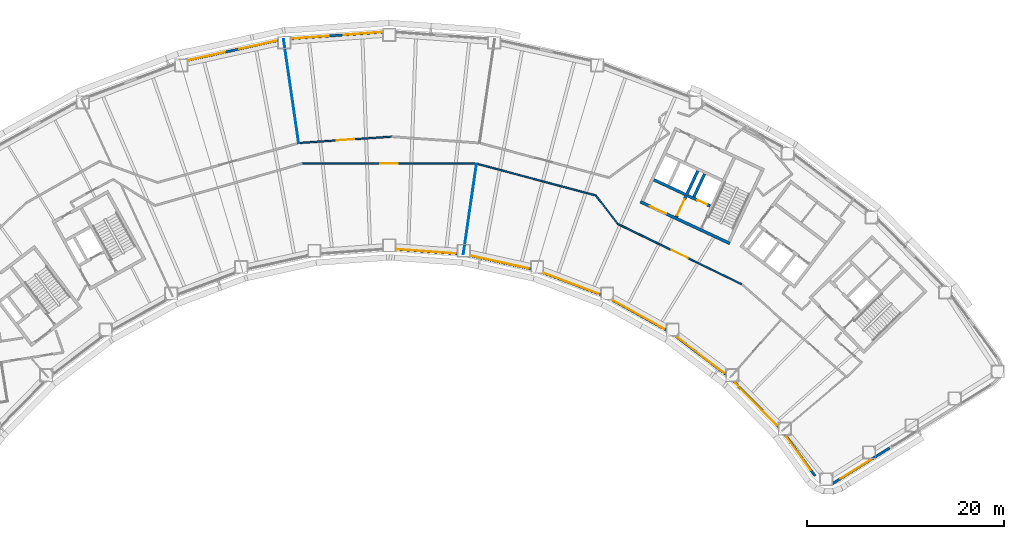
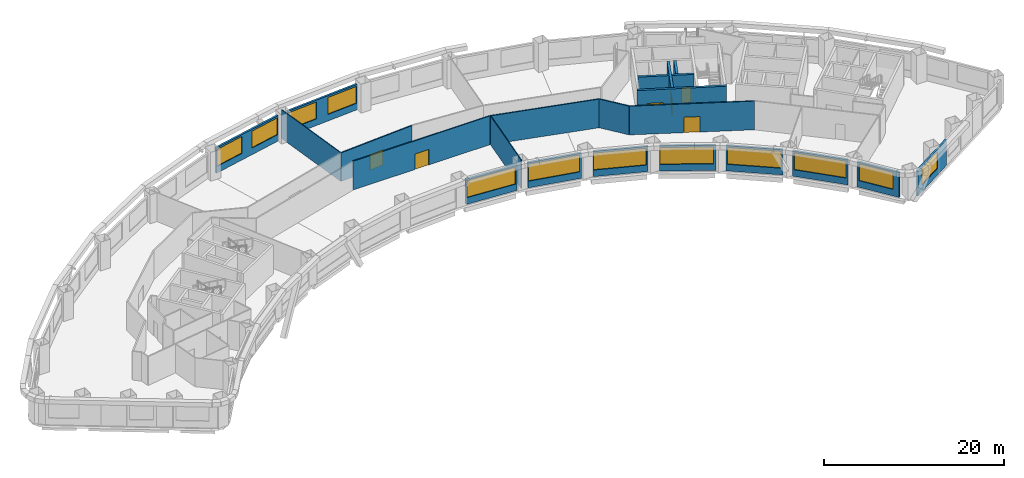
# One storey, part 5 of 14: 22 walls, 12 windows, 6 doors, 18 openings.
"""IFC4 building model written with IfcOpenShell, lengths in metres."""

from ifc_helpers import new_model, si_unit, direction, frame, frame_2d, origin, place, context, subcontext, project, spatial, rectangle, extrude, material, layer, layer_set, type_object, element, fill, save


model = new_model("IFC4")

# Units and contexts
model_context = context("Model", 3, precision=1e-05, world=origin(), true_north=direction((0.0, 1.0)))
body_context = subcontext(model_context, "Body", "Model", "MODEL_VIEW")
ifc_project = project(units=[si_unit("LENGTHUNIT", "METRE"), si_unit("AREAUNIT", "SQUARE_METRE"), si_unit("VOLUMEUNIT", "CUBIC_METRE"), si_unit("PLANEANGLEUNIT", "RADIAN"), si_unit("MASSUNIT", "GRAM", prefix="KILO")], contexts=[model_context])

# Site, building, storey
site_placement = place(None, origin())
site = spatial("IfcSite", under=ifc_project, at=site_placement, CompositionType="ELEMENT")
building_placement = place(site_placement, origin())
building = spatial("IfcBuilding", under=site, at=building_placement, Name="Tuul Gate Civic Tower", CompositionType="ELEMENT")
storey_placement = place(building_placement, frame((0.0, 0.0, 44.10009765625)))
storey = spatial("IfcBuildingStorey", under=building, at=storey_placement, Name="Level 09", CompositionType="ELEMENT", Elevation=44.10009765625)

# Wall, opening, door
ifc_material_1 = material(Name="Concrete C50/60", Category="concrete")
ifc_layer_1 = layer(ifc_material_1, 0.300048828125)
ifc_layer_set_1 = layer_set([ifc_layer_1], Name="Concrete C50/60")
wall_type_1 = type_object("IfcWallType", Name="Core wall C50/60", PredefinedType="SHEAR", material=ifc_layer_set_1)
wall_1_placement = place(storey_placement, frame((34.5283203125, -7.25, 0.0), z_axis=(0.0, 0.0, 1.0), x_axis=(-0.906310338845, 0.422612789327, 0.0)))
wall_1 = element("IfcWall", 1, at=wall_1_placement, inside=storey, type_object=wall_type_1, Name="Core wall", PredefinedType="SHEAR", context=body_context, shape_type="SweptSolid", body=[
    extrude(rectangle(XDim=9.999755859375, YDim=0.300048828125, at=frame_2d((5.0, 0.0))), origin(), (0.0, 0.0, 1.0), 3.89990234375),
])
opening_1_placement = place(wall_1_placement, frame((7.125, 0.0, 0.0)))
opening_1 = element("IfcOpeningElement", 2, at=opening_1_placement, cuts=wall_1, Name="Opening LB-E3-LOBBY-1", PredefinedType="OPENING", context=body_context, shape_type="SweptSolid", body=[
    extrude(rectangle(XDim=1.800048828125, YDim=2.10009765625, at=frame_2d((0.89990234375, 1.050048828125))), frame((0.0, 0.16015625, 0.0), z_axis=(0.0, -1.0, 0.0), x_axis=(1.0, 0.0, 0.0)), (0.0, 0.0, 1.0), 0.320068359375),
])
ifc_material_2 = material(Name="Steel", Category="steel")
door_type_1 = type_object("IfcDoorType", Name="Lobby door", OperationType="DOUBLE_DOOR_SINGLE_SWING", PredefinedType="DOOR", material=ifc_material_2)
door_1_placement = place(opening_1_placement, frame((1.800048828125, 0.0, 0.0), z_axis=(0.0, 0.0, 1.0), x_axis=(-1.0, 0.0, 0.0)))
door_1 = element("IfcDoor", 3, at=door_1_placement, inside=storey, type_object=door_type_1, Name="Lobby door E3-LOBBY", OperationType="DOUBLE_DOOR_SINGLE_SWING", OverallHeight=2.10009765625, OverallWidth=1.800048828125, PredefinedType="DOOR", context=body_context, shape_type="SweptSolid", body=[
    extrude(rectangle(XDim=1.800048828125, YDim=2.10009765625, at=frame_2d((0.900146484375, 1.050048828125))), frame((0.0, 0.02490234375, 0.0), z_axis=(0.0, -1.0, 0.0), x_axis=(1.0, 0.0, 0.0)), (0.0, 0.0, 1.0), 0.050048828125),
])
fill(opening_1, door_1)

wall_2_placement = place(storey_placement, frame((32.545654296875, -3.456787109375, 0.0), z_axis=(0.0, 0.0, 1.0), x_axis=(-0.906300357825, 0.42263419337, 0.0)))
wall_2 = element("IfcWall", 4, at=wall_2_placement, inside=storey, type_object=wall_type_1, Name="Core wall", PredefinedType="SHEAR", context=body_context, shape_type="SweptSolid", body=[
    extrude(rectangle(XDim=2.500244140625, YDim=0.300048828125, at=frame_2d((1.25, 0.0))), origin(), (0.0, 0.0, 1.0), 3.89990234375),
])
opening_2_placement = place(wall_2_placement, frame((0.324951171875, 0.0, 0.0)))
opening_2 = element("IfcOpeningElement", 5, at=opening_2_placement, cuts=wall_2, Name="Opening LD-FF-2", PredefinedType="OPENING", context=body_context, shape_type="SweptSolid", body=[
    extrude(rectangle(XDim=1.10009765625, YDim=2.10009765625, at=frame_2d((0.550048828125, 1.050048828125))), frame((0.0, 0.16015625, 0.0), z_axis=(0.0, -1.0, 0.0), x_axis=(1.0, 0.0, 0.0)), (0.0, 0.0, 1.0), 0.320068359375),
])
ifc_material_3 = material(Name="Stainless steel", Category="steel")
door_type_2 = type_object("IfcDoorType", Name="Landing door", OperationType="DOUBLE_DOOR_SLIDING", PredefinedType="DOOR", material=ifc_material_3)
door_2_placement = place(opening_2_placement, origin())
door_2 = element("IfcDoor", 6, at=door_2_placement, inside=storey, type_object=door_type_2, Name="Fire-fighting lift FF-2 landing door", OperationType="DOUBLE_DOOR_SLIDING", OverallHeight=2.10009765625, OverallWidth=1.10009765625, PredefinedType="DOOR", context=body_context, shape_type="SweptSolid", body=[
    extrude(rectangle(XDim=1.10009765625, YDim=2.10009765625, at=frame_2d((0.550048828125, 1.050048828125))), frame((0.0, 0.02490234375, 0.0), z_axis=(0.0, -1.0, 0.0), x_axis=(1.0, 0.0, 0.0)), (0.0, 0.0, 1.0), 0.050048828125),
])
fill(opening_2, door_2)

# Walls
wall_3_placement = place(storey_placement, frame((30.0078125, -2.2734375, 0.0), z_axis=(0.0, 0.0, 1.0), x_axis=(-0.90630071767, 0.422633421716, 0.0)))
element("IfcWall", 7, at=wall_3_placement, inside=storey, type_object=wall_type_1, Name="Core wall", PredefinedType="SHEAR", context=body_context, shape_type="SweptSolid", body=[
    extrude(rectangle(XDim=3.5, YDim=0.300048828125, at=frame_2d((1.75, 0.0))), origin(), (0.0, 0.0, 1.0), 3.89990234375),
])
wall_4_placement = place(storey_placement, frame((30.886962890625, -2.517822265625, 0.0), z_axis=(0.0, 0.0, 1.0), x_axis=(0.422612891016, 0.906310291427, 0.0)))
element("IfcWall", 8, at=wall_4_placement, inside=storey, type_object=wall_type_1, Name="Core wall", PredefinedType="SHEAR", context=body_context, shape_type="SweptSolid", body=[
    extrude(rectangle(XDim=2.550048828125, YDim=0.300048828125, at=frame_2d((1.27490234375, 0.0))), origin(), (0.0, 0.0, 1.0), 3.89990234375),
])

# Wall, opening, door
wall_5_placement = place(storey_placement, frame((29.108642578125, -4.557373046875, 0.0), z_axis=(0.0, 0.0, 1.0), x_axis=(0.422566235356, 0.90633204552, 0.0)))
wall_5 = element("IfcWall", 9, at=wall_5_placement, inside=storey, type_object=wall_type_1, Name="Core wall", PredefinedType="SHEAR", context=body_context, shape_type="SweptSolid", body=[
    extrude(rectangle(XDim=5.150146484375, YDim=0.300048828125, at=frame_2d((2.5751953125, 0.0))), origin(), (0.0, 0.0, 1.0), 3.89990234375),
])
opening_3_placement = place(wall_5_placement, frame((0.175048828125, 0.0, 0.0)))
opening_3 = element("IfcOpeningElement", 10, at=opening_3_placement, cuts=wall_5, Name="Opening LB-E3-FLOBBY-1", PredefinedType="OPENING", context=body_context, shape_type="SweptSolid", body=[
    extrude(rectangle(XDim=1.800048828125, YDim=2.10009765625, at=frame_2d((0.89990234375, 1.050048828125))), frame((0.0, 0.16015625, 0.0), z_axis=(0.0, -1.0, 0.0), x_axis=(1.0, 0.0, 0.0)), (0.0, 0.0, 1.0), 0.320068359375),
])
door_3_placement = place(opening_3_placement, frame((1.800048828125, 0.0, 0.0), z_axis=(0.0, 0.0, 1.0), x_axis=(-1.0, 0.0, 0.0)))
door_3 = element("IfcDoor", 11, at=door_3_placement, inside=storey, type_object=door_type_1, Name="Lobby door E3-FLOBBY", OperationType="DOUBLE_DOOR_SINGLE_SWING", OverallHeight=2.10009765625, OverallWidth=1.800048828125, PredefinedType="DOOR", context=body_context, shape_type="SweptSolid", body=[
    extrude(rectangle(XDim=1.800048828125, YDim=2.10009765625, at=frame_2d((0.900146484375, 1.050048828125))), frame((0.0, 0.02490234375, 0.0), z_axis=(0.0, -1.0, 0.0), x_axis=(1.0, 0.0, 0.0)), (0.0, 0.0, 1.0), 0.050048828125),
])
fill(opening_3, door_3)

ifc_material_4 = material(Name="Gypsum board partition")
ifc_layer_2 = layer(ifc_material_4, 0.14990234375)
ifc_layer_set_2 = layer_set([ifc_layer_2], Name="Gypsum board partition")
wall_type_2 = type_object("IfcWallType", Name="Corridor wall P150", PredefinedType="PARTITIONING", material=ifc_layer_set_2)
wall_6_placement = place(storey_placement, frame((-9.11767578125, 2.936279296875, 0.0), z_axis=(0.0, 0.0, 1.0), x_axis=(0.997685012636, 0.068004526039, 0.0)))
wall_6 = element("IfcWall", 12, at=wall_6_placement, inside=storey, type_object=wall_type_2, Name="p027", PredefinedType="PARTITIONING", context=body_context, shape_type="SweptSolid", body=[
    extrude(rectangle(XDim=9.4130859375, YDim=0.14990234375, at=frame_2d((4.70654296875, 0.0))), origin(), (0.0, 0.0, 1.0), 3.89990234375),
])
opening_4_placement = place(wall_6_placement, frame((3.806640625, 0.0, 0.0)))
opening_4 = element("IfcOpeningElement", 13, at=opening_4_placement, cuts=wall_6, Name="Opening B-D04", PredefinedType="OPENING", context=body_context, shape_type="SweptSolid", body=[
    extrude(rectangle(XDim=1.800048828125, YDim=2.10009765625, at=frame_2d((0.89990234375, 1.050048828125))), frame((0.0, 0.0849609375, 0.0), z_axis=(0.0, -1.0, 0.0), x_axis=(1.0, 0.0, 0.0)), (0.0, 0.0, 1.0), 0.169921875),
])
ifc_material_5 = material(Name="Timber door leaf, double", Category="wood")
door_type_3 = type_object("IfcDoorType", Name="Door D18", OperationType="DOUBLE_DOOR_SINGLE_SWING", PredefinedType="DOOR", material=ifc_material_5)
door_4_placement = place(opening_4_placement, origin())
door_4 = element("IfcDoor", 14, at=door_4_placement, inside=storey, type_object=door_type_3, Name="Door B-D04", OperationType="DOUBLE_DOOR_SINGLE_SWING", OverallHeight=2.10009765625, OverallWidth=1.800048828125, PredefinedType="DOOR", context=body_context, shape_type="SweptSolid", body=[
    extrude(rectangle(XDim=1.800048828125, YDim=2.10009765625, at=frame_2d((0.89990234375, 1.050048828125))), frame((0.0, 0.02490234375, 0.0), z_axis=(0.0, -1.0, 0.0), x_axis=(1.0, 0.0, 0.0)), (0.0, 0.0, 1.0), 0.050048828125),
])
fill(opening_4, door_4)

# Walls
wall_7_placement = place(storey_placement, frame((8.7958984375, 0.853271484375, 0.0), z_axis=(0.0, 0.0, 1.0), x_axis=(0.966243312112, -0.257631251596, 0.0)))
element("IfcWall", 15, at=wall_7_placement, inside=storey, type_object=wall_type_2, Name="p042", PredefinedType="PARTITIONING", context=body_context, shape_type="SweptSolid", body=[
    extrude(rectangle(XDim=12.582763671875, YDim=0.14990234375, at=frame_2d((6.29150390625, 0.0))), origin(), (0.0, 0.0, 1.0), 3.89990234375),
])
wall_8_placement = place(storey_placement, frame((20.96533203125, -2.39599609375, 0.0), z_axis=(0.0, 0.0, 1.0), x_axis=(0.608342437312, -0.793674668214, 0.0)))
element("IfcWall", 16, at=wall_8_placement, inside=storey, type_object=wall_type_2, Name="p043", PredefinedType="PARTITIONING", context=body_context, shape_type="SweptSolid", body=[
    extrude(rectangle(XDim=3.6240234375, YDim=0.14990234375, at=frame_2d((1.81201171875, 0.0))), origin(), (0.0, 0.0, 1.0), 3.89990234375),
])

# Wall, opening, door
wall_9_placement = place(storey_placement, frame((23.1708984375, -5.273193359375, 0.0), z_axis=(0.0, 0.0, 1.0), x_axis=(0.89942879208, -0.437067326596, 0.0)))
wall_9 = element("IfcWall", 17, at=wall_9_placement, inside=storey, type_object=wall_type_2, Name="p044", PredefinedType="PARTITIONING", context=body_context, shape_type="SweptSolid", body=[
    extrude(rectangle(XDim=13.956787109375, YDim=0.14990234375, at=frame_2d((6.978515625, 0.0))), origin(), (0.0, 0.0, 1.0), 3.89990234375),
])
opening_5_placement = place(wall_9_placement, frame((6.07861328125, 0.0, 0.0)))
opening_5 = element("IfcOpeningElement", 18, at=opening_5_placement, cuts=wall_9, Name="Opening B-D08", PredefinedType="OPENING", context=body_context, shape_type="SweptSolid", body=[
    extrude(rectangle(XDim=1.800048828125, YDim=2.10009765625, at=frame_2d((0.89990234375, 1.050048828125))), frame((0.0, 0.0849609375, 0.0), z_axis=(0.0, -1.0, 0.0), x_axis=(1.0, 0.0, 0.0)), (0.0, 0.0, 1.0), 0.169921875),
])
door_5_placement = place(opening_5_placement, frame((1.800048828125, 0.0, 0.0), z_axis=(0.0, 0.0, 1.0), x_axis=(-1.0, 0.0, 0.0)))
door_5 = element("IfcDoor", 19, at=door_5_placement, inside=storey, type_object=door_type_3, Name="Door B-D08", OperationType="DOUBLE_DOOR_SINGLE_SWING", OverallHeight=2.10009765625, OverallWidth=1.800048828125, PredefinedType="DOOR", context=body_context, shape_type="SweptSolid", body=[
    extrude(rectangle(XDim=1.800048828125, YDim=2.10009765625, at=frame_2d((0.900146484375, 1.050048828125))), frame((0.0, 0.02490234375, 0.0), z_axis=(0.0, -1.0, 0.0), x_axis=(1.0, 0.0, 0.0)), (0.0, 0.0, 1.0), 0.050048828125),
])
fill(opening_5, door_5)

wall_10_placement = place(storey_placement, frame((-8.813720703125, 0.85205078125, 0.0), z_axis=(0.0, 0.0, 1.0), x_axis=(0.999999993845, 0.000110950848, 0.0)))
wall_10 = element("IfcWall", 20, at=wall_10_placement, inside=storey, type_object=wall_type_2, Name="p047", PredefinedType="PARTITIONING", context=body_context, shape_type="SweptSolid", body=[
    extrude(rectangle(XDim=17.603515625, YDim=0.14990234375, at=frame_2d((8.8017578125, 0.0))), origin(), (0.0, 0.0, 1.0), 3.89990234375),
])
opening_6_placement = place(wall_10_placement, frame((7.90185546875, 0.0, 0.0)))
opening_6 = element("IfcOpeningElement", 21, at=opening_6_placement, cuts=wall_10, Name="Opening B-D09", PredefinedType="OPENING", context=body_context, shape_type="SweptSolid", body=[
    extrude(rectangle(XDim=1.800048828125, YDim=2.10009765625, at=frame_2d((0.89990234375, 1.050048828125))), frame((0.0, 0.0849609375, 0.0), z_axis=(0.0, -1.0, 0.0), x_axis=(1.0, 0.0, 0.0)), (0.0, 0.0, 1.0), 0.169921875),
])
door_6_placement = place(opening_6_placement, frame((1.800048828125, 0.0, 0.0), z_axis=(0.0, 0.0, 1.0), x_axis=(-1.0, 0.0, 0.0)))
door_6 = element("IfcDoor", 22, at=door_6_placement, inside=storey, type_object=door_type_3, Name="Door B-D09", OperationType="DOUBLE_DOOR_SINGLE_SWING", OverallHeight=2.10009765625, OverallWidth=1.800048828125, PredefinedType="DOOR", context=body_context, shape_type="SweptSolid", body=[
    extrude(rectangle(XDim=1.800048828125, YDim=2.10009765625, at=frame_2d((0.900146484375, 1.050048828125))), frame((0.0, 0.02490234375, 0.0), z_axis=(0.0, -1.0, 0.0), x_axis=(1.0, 0.0, 0.0)), (0.0, 0.0, 1.0), 0.050048828125),
])
fill(opening_6, door_6)

# Wall, openings, windows
ifc_material_6 = material(Name="Precast concrete C40/50", Category="concrete")
ifc_layer_3 = layer(ifc_material_6, 0.25)
ifc_layer_set_3 = layer_set([ifc_layer_3], Name="Precast concrete C40/50")
wall_type_3 = type_object("IfcWallType", Name="External wall", PredefinedType="STANDARD", material=ifc_layer_set_3)
wall_11_placement = place(storey_placement, frame((-0.64990234375, 14.177490234375, 0.0), z_axis=(0.0, 0.0, 1.0), x_axis=(-0.997388413682, -0.072224318983, 0.0)))
wall_11 = element("IfcWall", 23, at=wall_11_placement, inside=storey, type_object=wall_type_3, Name="External wall", PredefinedType="STANDARD", context=body_context, shape_type="SweptSolid", body=[
    extrude(rectangle(XDim=9.37353515625, YDim=0.25, at=frame_2d((4.686767578125, 0.0))), origin(), (0.0, 0.0, 1.0), 3.449951171875),
])
opening_7_placement = place(wall_11_placement, frame((0.099853515625, 0.0, 0.89990234375)))
opening_7 = element("IfcOpeningElement", 24, at=opening_7_placement, cuts=wall_11, Name="Opening W22", PredefinedType="OPENING", context=body_context, shape_type="SweptSolid", body=[
    extrude(rectangle(XDim=3.85009765625, YDim=2.300048828125, at=frame_2d((1.925048828125, 1.14990234375))), frame((0.0, 0.135009765625, 0.0), z_axis=(0.0, -1.0, 0.0), x_axis=(1.0, 0.0, 0.0)), (0.0, 0.0, 1.0), 0.27001953125),
])
opening_8_placement = place(wall_11_placement, frame((5.470703125, 0.0, 0.89990234375)))
opening_8 = element("IfcOpeningElement", 25, at=opening_8_placement, cuts=wall_11, Name="Opening W22", PredefinedType="OPENING", context=body_context, shape_type="SweptSolid", body=[
    extrude(rectangle(XDim=3.85009765625, YDim=2.300048828125, at=frame_2d((1.925048828125, 1.14990234375))), frame((0.0, 0.135009765625, 0.0), z_axis=(0.0, -1.0, 0.0), x_axis=(1.0, 0.0, 0.0)), (0.0, 0.0, 1.0), 0.27001953125),
])
ifc_material_7 = material(Name="Glass", Category="glass")
window_type_1 = type_object("IfcWindowType", Name="Window W22 3850 x 2300", PartitioningType="SINGLE_PANEL", PredefinedType="WINDOW", material=ifc_material_7)
window_1_placement = place(opening_7_placement, origin())
window_1 = element("IfcWindow", 26, at=window_1_placement, inside=storey, type_object=window_type_1, Name="Window", OverallHeight=2.300048828125, OverallWidth=3.85009765625, PartitioningType="SINGLE_PANEL", PredefinedType="WINDOW", context=body_context, shape_type="SweptSolid", body=[
    extrude(rectangle(XDim=3.85009765625, YDim=2.300048828125, at=frame_2d((1.925048828125, 1.14990234375))), frame((0.0, 0.030029296875, 0.0), z_axis=(0.0, -1.0, 0.0), x_axis=(1.0, 0.0, 0.0)), (0.0, 0.0, 1.0), 0.06005859375),
])
fill(opening_7, window_1)
window_2_placement = place(opening_8_placement, origin())
window_2 = element("IfcWindow", 27, at=window_2_placement, inside=storey, type_object=window_type_1, Name="Window", OverallHeight=2.300048828125, OverallWidth=3.85009765625, PartitioningType="SINGLE_PANEL", PredefinedType="WINDOW", context=body_context, shape_type="SweptSolid", body=[
    extrude(rectangle(XDim=3.85009765625, YDim=2.300048828125, at=frame_2d((1.925048828125, 1.14990234375))), frame((0.0, 0.030029296875, 0.0), z_axis=(0.0, -1.0, 0.0), x_axis=(1.0, 0.0, 0.0)), (0.0, 0.0, 1.0), 0.06005859375),
])
fill(opening_8, window_2)

wall_12_placement = place(storey_placement, frame((-11.299072265625, 13.317138671875, 0.0), z_axis=(0.0, 0.0, 1.0), x_axis=(-0.97654219172, -0.215326142841, 0.0)))
wall_12 = element("IfcWall", 28, at=wall_12_placement, inside=storey, type_object=wall_type_3, Name="External wall", PredefinedType="STANDARD", context=body_context, shape_type="SweptSolid", body=[
    extrude(rectangle(XDim=9.34716796875, YDim=0.25, at=frame_2d((4.673583984375, 0.0))), origin(), (0.0, 0.0, 1.0), 3.449951171875),
])
opening_9_placement = place(wall_12_placement, frame((0.134033203125, 0.0, 0.89990234375)))
opening_9 = element("IfcOpeningElement", 29, at=opening_9_placement, cuts=wall_12, Name="Opening W22", PredefinedType="OPENING", context=body_context, shape_type="SweptSolid", body=[
    extrude(rectangle(XDim=3.85009765625, YDim=2.300048828125, at=frame_2d((1.925048828125, 1.14990234375))), frame((0.0, 0.135009765625, 0.0), z_axis=(0.0, -1.0, 0.0), x_axis=(1.0, 0.0, 0.0)), (0.0, 0.0, 1.0), 0.27001953125),
])
opening_10_placement = place(wall_12_placement, frame((5.5029296875, 0.0, 0.89990234375)))
opening_10 = element("IfcOpeningElement", 30, at=opening_10_placement, cuts=wall_12, Name="Opening W100", PredefinedType="OPENING", context=body_context, shape_type="SweptSolid", body=[
    extrude(rectangle(XDim=3.800048828125, YDim=2.300048828125, at=frame_2d((1.89990234375, 1.14990234375))), frame((0.0, 0.135009765625, 0.0), z_axis=(0.0, -1.0, 0.0), x_axis=(1.0, 0.0, 0.0)), (0.0, 0.0, 1.0), 0.27001953125),
])
ifc_material_8 = material(Name="Glass", Category="glass")
window_type_2 = type_object("IfcWindowType", Name="Window W100 3800 x 2300", PartitioningType="SINGLE_PANEL", PredefinedType="WINDOW", material=ifc_material_8)
window_3_placement = place(opening_10_placement, origin())
window_3 = element("IfcWindow", 31, at=window_3_placement, inside=storey, type_object=window_type_2, Name="Window", OverallHeight=2.300048828125, OverallWidth=3.800048828125, PartitioningType="SINGLE_PANEL", PredefinedType="WINDOW", context=body_context, shape_type="SweptSolid", body=[
    extrude(rectangle(XDim=3.800048828125, YDim=2.300048828125, at=frame_2d((1.89990234375, 1.14990234375))), frame((0.0, 0.030029296875, 0.0), z_axis=(0.0, -1.0, 0.0), x_axis=(1.0, 0.0, 0.0)), (0.0, 0.0, 1.0), 0.06005859375),
])
fill(opening_10, window_3)
window_4_placement = place(opening_9_placement, origin())
window_4 = element("IfcWindow", 32, at=window_4_placement, inside=storey, type_object=window_type_1, Name="Window", OverallHeight=2.300048828125, OverallWidth=3.85009765625, PartitioningType="SINGLE_PANEL", PredefinedType="WINDOW", context=body_context, shape_type="SweptSolid", body=[
    extrude(rectangle(XDim=3.85009765625, YDim=2.300048828125, at=frame_2d((1.925048828125, 1.14990234375))), frame((0.0, 0.030029296875, 0.0), z_axis=(0.0, -1.0, 0.0), x_axis=(1.0, 0.0, 0.0)), (0.0, 0.0, 1.0), 0.06005859375),
])
fill(opening_9, window_4)

# Wall, opening, window
wall_13_placement = place(storey_placement, frame((0.64990234375, -7.830810546875, 0.0), z_axis=(0.0, 0.0, 1.0), x_axis=(0.997395047269, -0.072132653374, 0.0)))
wall_13 = element("IfcWall", 33, at=wall_13_placement, inside=storey, type_object=wall_type_3, Name="External wall", PredefinedType="STANDARD", context=body_context, shape_type="SweptSolid", body=[
    extrude(rectangle(XDim=6.28857421875, YDim=0.25, at=frame_2d((3.144287109375, 0.0))), origin(), (0.0, 0.0, 1.0), 3.449951171875),
])
opening_11_placement = place(wall_13_placement, frame((0.12060546875, 0.0, 0.89990234375)))
opening_11 = element("IfcOpeningElement", 34, at=opening_11_placement, cuts=wall_13, Name="Opening W26", PredefinedType="OPENING", context=body_context, shape_type="SweptSolid", body=[
    extrude(rectangle(XDim=6.0, YDim=2.300048828125, at=frame_2d((3.0, 1.14990234375))), frame((0.0, 0.135009765625, 0.0), z_axis=(0.0, -1.0, 0.0), x_axis=(1.0, 0.0, 0.0)), (0.0, 0.0, 1.0), 0.27001953125),
])
ifc_material_9 = material(Name="Glass", Category="glass")
window_type_3 = type_object("IfcWindowType", Name="Window W26 6000 x 2300", PartitioningType="SINGLE_PANEL", PredefinedType="WINDOW", material=ifc_material_9)
window_5_placement = place(opening_11_placement, origin())
window_5 = element("IfcWindow", 35, at=window_5_placement, inside=storey, type_object=window_type_3, Name="Window", OverallHeight=2.300048828125, OverallWidth=6.0, PartitioningType="SINGLE_PANEL", PredefinedType="WINDOW", context=body_context, shape_type="SweptSolid", body=[
    extrude(rectangle(XDim=6.0, YDim=2.300048828125, at=frame_2d((3.0, 1.14990234375))), frame((0.0, 0.030029296875, 0.0), z_axis=(0.0, -1.0, 0.0), x_axis=(1.0, 0.0, 0.0)), (0.0, 0.0, 1.0), 0.06005859375),
])
fill(opening_11, window_5)

wall_14_placement = place(storey_placement, frame((8.221923828125, -8.481689453125, 0.0), z_axis=(0.0, 0.0, 1.0), x_axis=(0.97656633669, -0.215216611915, 0.0)))
wall_14 = element("IfcWall", 36, at=wall_14_placement, inside=storey, type_object=wall_type_3, Name="External wall", PredefinedType="STANDARD", context=body_context, shape_type="SweptSolid", body=[
    extrude(rectangle(XDim=6.2607421875, YDim=0.25, at=frame_2d((3.13037109375, 0.0))), origin(), (0.0, 0.0, 1.0), 3.449951171875),
])
opening_12_placement = place(wall_14_placement, frame((0.05859375, 0.0, 0.89990234375)))
opening_12 = element("IfcOpeningElement", 37, at=opening_12_placement, cuts=wall_14, Name="Opening W26", PredefinedType="OPENING", context=body_context, shape_type="SweptSolid", body=[
    extrude(rectangle(XDim=6.0, YDim=2.300048828125, at=frame_2d((3.0, 1.14990234375))), frame((0.0, 0.135009765625, 0.0), z_axis=(0.0, -1.0, 0.0), x_axis=(1.0, 0.0, 0.0)), (0.0, 0.0, 1.0), 0.27001953125),
])
window_6_placement = place(opening_12_placement, origin())
window_6 = element("IfcWindow", 38, at=window_6_placement, inside=storey, type_object=window_type_3, Name="Window", OverallHeight=2.300048828125, OverallWidth=6.0, PartitioningType="SINGLE_PANEL", PredefinedType="WINDOW", context=body_context, shape_type="SweptSolid", body=[
    extrude(rectangle(XDim=6.0, YDim=2.300048828125, at=frame_2d((3.0, 1.14990234375))), frame((0.0, 0.030029296875, 0.0), z_axis=(0.0, -1.0, 0.0), x_axis=(1.0, 0.0, 0.0)), (0.0, 0.0, 1.0), 0.06005859375),
])
fill(opening_12, window_6)

wall_15_placement = place(storey_placement, frame((15.635986328125, -10.23291015625, 0.0), z_axis=(0.0, 0.0, 1.0), x_axis=(0.935359836581, -0.353697577193, 0.0)))
wall_15 = element("IfcWall", 39, at=wall_15_placement, inside=storey, type_object=wall_type_3, Name="External wall", PredefinedType="STANDARD", context=body_context, shape_type="SweptSolid", body=[
    extrude(rectangle(XDim=6.201904296875, YDim=0.25, at=frame_2d((3.10107421875, 0.0))), origin(), (0.0, 0.0, 1.0), 3.449951171875),
])
opening_13_placement = place(wall_15_placement, frame((0.0458984375, 0.0, 0.89990234375)))
opening_13 = element("IfcOpeningElement", 40, at=opening_13_placement, cuts=wall_15, Name="Opening W101", PredefinedType="OPENING", context=body_context, shape_type="SweptSolid", body=[
    extrude(rectangle(XDim=5.949951171875, YDim=2.300048828125, at=frame_2d((2.97509765625, 1.14990234375))), frame((0.0, 0.135009765625, 0.0), z_axis=(0.0, -1.0, 0.0), x_axis=(1.0, 0.0, 0.0)), (0.0, 0.0, 1.0), 0.27001953125),
])
ifc_material_10 = material(Name="Glass", Category="glass")
window_type_4 = type_object("IfcWindowType", Name="Window W101 5950 x 2300", PartitioningType="SINGLE_PANEL", PredefinedType="WINDOW", material=ifc_material_10)
window_7_placement = place(opening_13_placement, origin())
window_7 = element("IfcWindow", 41, at=window_7_placement, inside=storey, type_object=window_type_4, Name="Window", OverallHeight=2.300048828125, OverallWidth=5.949951171875, PartitioningType="SINGLE_PANEL", PredefinedType="WINDOW", context=body_context, shape_type="SweptSolid", body=[
    extrude(rectangle(XDim=5.949951171875, YDim=2.300048828125, at=frame_2d((2.97509765625, 1.14990234375))), frame((0.0, 0.030029296875, 0.0), z_axis=(0.0, -1.0, 0.0), x_axis=(1.0, 0.0, 0.0)), (0.0, 0.0, 1.0), 0.06005859375),
])
fill(opening_13, window_7)

wall_16_placement = place(storey_placement, frame((22.589599609375, -12.97509765625, 0.0), z_axis=(0.0, 0.0, 1.0), x_axis=(0.874630436192, -0.484790264018, 0.0)))
wall_16 = element("IfcWall", 42, at=wall_16_placement, inside=storey, type_object=wall_type_3, Name="External wall", PredefinedType="STANDARD", context=body_context, shape_type="SweptSolid", body=[
    extrude(rectangle(XDim=6.27392578125, YDim=0.25, at=frame_2d((3.136962890625, 0.0))), origin(), (0.0, 0.0, 1.0), 3.449951171875),
])
opening_14_placement = place(wall_16_placement, frame((0.0869140625, 0.0, 0.89990234375)))
opening_14 = element("IfcOpeningElement", 43, at=opening_14_placement, cuts=wall_16, Name="Opening W101", PredefinedType="OPENING", context=body_context, shape_type="SweptSolid", body=[
    extrude(rectangle(XDim=5.949951171875, YDim=2.300048828125, at=frame_2d((2.97509765625, 1.14990234375))), frame((0.0, 0.135009765625, 0.0), z_axis=(0.0, -1.0, 0.0), x_axis=(1.0, 0.0, 0.0)), (0.0, 0.0, 1.0), 0.27001953125),
])
window_8_placement = place(opening_14_placement, origin())
window_8 = element("IfcWindow", 44, at=window_8_placement, inside=storey, type_object=window_type_4, Name="Window", OverallHeight=2.300048828125, OverallWidth=5.949951171875, PartitioningType="SINGLE_PANEL", PredefinedType="WINDOW", context=body_context, shape_type="SweptSolid", body=[
    extrude(rectangle(XDim=5.949951171875, YDim=2.300048828125, at=frame_2d((2.97509765625, 1.14990234375))), frame((0.0, 0.030029296875, 0.0), z_axis=(0.0, -1.0, 0.0), x_axis=(1.0, 0.0, 0.0)), (0.0, 0.0, 1.0), 0.06005859375),
])
fill(opening_14, window_8)

wall_17_placement = place(storey_placement, frame((29.044921875, -16.656005859375, 0.0), z_axis=(0.0, 0.0, 1.0), x_axis=(0.795571471624, -0.605859747416, 0.0)))
wall_17 = element("IfcWall", 45, at=wall_17_placement, inside=storey, type_object=wall_type_3, Name="External wall", PredefinedType="STANDARD", context=body_context, shape_type="SweptSolid", body=[
    extrude(rectangle(XDim=6.375244140625, YDim=0.25, at=frame_2d((3.1875, 0.0))), origin(), (0.0, 0.0, 1.0), 3.449951171875),
])
opening_15_placement = place(wall_17_placement, frame((0.1484375, 0.0, 0.89990234375)))
opening_15 = element("IfcOpeningElement", 46, at=opening_15_placement, cuts=wall_17, Name="Opening W26", PredefinedType="OPENING", context=body_context, shape_type="SweptSolid", body=[
    extrude(rectangle(XDim=6.0, YDim=2.300048828125, at=frame_2d((3.0, 1.14990234375))), frame((0.0, 0.135009765625, 0.0), z_axis=(0.0, -1.0, 0.0), x_axis=(1.0, 0.0, 0.0)), (0.0, 0.0, 1.0), 0.27001953125),
])
window_9_placement = place(opening_15_placement, origin())
window_9 = element("IfcWindow", 47, at=window_9_placement, inside=storey, type_object=window_type_3, Name="Window", OverallHeight=2.300048828125, OverallWidth=6.0, PartitioningType="SINGLE_PANEL", PredefinedType="WINDOW", context=body_context, shape_type="SweptSolid", body=[
    extrude(rectangle(XDim=6.0, YDim=2.300048828125, at=frame_2d((3.0, 1.14990234375))), frame((0.0, 0.030029296875, 0.0), z_axis=(0.0, -1.0, 0.0), x_axis=(1.0, 0.0, 0.0)), (0.0, 0.0, 1.0), 0.06005859375),
])
fill(opening_15, window_9)

wall_18_placement = place(storey_placement, frame((34.948974609375, -21.2548828125, 0.0), z_axis=(0.0, 0.0, 1.0), x_axis=(0.699998211198, -0.714144596227, 0.0)))
wall_18 = element("IfcWall", 48, at=wall_18_placement, inside=storey, type_object=wall_type_3, Name="External wall", PredefinedType="STANDARD", context=body_context, shape_type="SweptSolid", body=[
    extrude(rectangle(XDim=6.40283203125, YDim=0.25, at=frame_2d((3.201416015625, 0.0))), origin(), (0.0, 0.0, 1.0), 3.449951171875),
])
opening_16_placement = place(wall_18_placement, frame((0.203857421875, 0.0, 0.89990234375)))
opening_16 = element("IfcOpeningElement", 49, at=opening_16_placement, cuts=wall_18, Name="Opening W26", PredefinedType="OPENING", context=body_context, shape_type="SweptSolid", body=[
    extrude(rectangle(XDim=6.0, YDim=2.300048828125, at=frame_2d((3.0, 1.14990234375))), frame((0.0, 0.135009765625, 0.0), z_axis=(0.0, -1.0, 0.0), x_axis=(1.0, 0.0, 0.0)), (0.0, 0.0, 1.0), 0.27001953125),
])
window_10_placement = place(opening_16_placement, origin())
window_10 = element("IfcWindow", 50, at=window_10_placement, inside=storey, type_object=window_type_3, Name="Window", OverallHeight=2.300048828125, OverallWidth=6.0, PartitioningType="SINGLE_PANEL", PredefinedType="WINDOW", context=body_context, shape_type="SweptSolid", body=[
    extrude(rectangle(XDim=6.0, YDim=2.300048828125, at=frame_2d((3.0, 1.14990234375))), frame((0.0, 0.030029296875, 0.0), z_axis=(0.0, -1.0, 0.0), x_axis=(1.0, 0.0, 0.0)), (0.0, 0.0, 1.0), 0.06005859375),
])
fill(opening_16, window_10)

wall_19_placement = place(storey_placement, frame((40.1533203125, -26.676025390625, 0.0), z_axis=(0.0, 0.0, 1.0), x_axis=(0.589712900291, -0.807612961282, 0.0)))
wall_19 = element("IfcWall", 51, at=wall_19_placement, inside=storey, type_object=wall_type_3, Name="External wall", PredefinedType="STANDARD", context=body_context, shape_type="SweptSolid", body=[
    extrude(rectangle(XDim=5.120361328125, YDim=0.25, at=frame_2d((2.56005859375, 0.0))), origin(), (0.0, 0.0, 1.0), 3.449951171875),
])
opening_17_placement = place(wall_19_placement, frame((0.218017578125, 0.0, 0.89990234375)))
opening_17 = element("IfcOpeningElement", 52, at=opening_17_placement, cuts=wall_19, Name="Opening W25", PredefinedType="OPENING", context=body_context, shape_type="SweptSolid", body=[
    extrude(rectangle(XDim=4.14990234375, YDim=2.300048828125, at=frame_2d((2.074951171875, 1.14990234375))), frame((0.0, 0.135009765625, 0.0), z_axis=(0.0, -1.0, 0.0), x_axis=(1.0, 0.0, 0.0)), (0.0, 0.0, 1.0), 0.27001953125),
])
ifc_material_11 = material(Name="Glass", Category="glass")
window_type_5 = type_object("IfcWindowType", Name="Window W25 4150 x 2300", PartitioningType="SINGLE_PANEL", PredefinedType="WINDOW", material=ifc_material_11)
window_11_placement = place(opening_17_placement, origin())
window_11 = element("IfcWindow", 53, at=window_11_placement, inside=storey, type_object=window_type_5, Name="Window", OverallHeight=2.300048828125, OverallWidth=4.14990234375, PartitioningType="SINGLE_PANEL", PredefinedType="WINDOW", context=body_context, shape_type="SweptSolid", body=[
    extrude(rectangle(XDim=4.14990234375, YDim=2.300048828125, at=frame_2d((2.074951171875, 1.14990234375))), frame((0.0, 0.030029296875, 0.0), z_axis=(0.0, -1.0, 0.0), x_axis=(1.0, 0.0, 0.0)), (0.0, 0.0, 1.0), 0.06005859375),
])
fill(opening_17, window_11)

wall_20_placement = place(storey_placement, frame((44.950927734375, -31.5869140625, 0.0), z_axis=(0.0, 0.0, 1.0), x_axis=(0.848068815002, 0.529886105707, 0.0)))
wall_20 = element("IfcWall", 54, at=wall_20_placement, inside=storey, type_object=wall_type_3, Name="External wall", PredefinedType="STANDARD", context=body_context, shape_type="SweptSolid", body=[
    extrude(rectangle(XDim=6.807373046875, YDim=0.25, at=frame_2d((3.40380859375, 0.0))), origin(), (0.0, 0.0, 1.0), 3.449951171875),
])
opening_18_placement = place(wall_20_placement, frame((0.943115234375, 0.0, 0.89990234375)))
opening_18 = element("IfcOpeningElement", 55, at=opening_18_placement, cuts=wall_20, Name="Opening W21", PredefinedType="OPENING", context=body_context, shape_type="SweptSolid", body=[
    extrude(rectangle(XDim=3.699951171875, YDim=2.300048828125, at=frame_2d((1.85009765625, 1.14990234375))), frame((0.0, 0.135009765625, 0.0), z_axis=(0.0, -1.0, 0.0), x_axis=(1.0, 0.0, 0.0)), (0.0, 0.0, 1.0), 0.27001953125),
])
ifc_material_12 = material(Name="Glass", Category="glass")
window_type_6 = type_object("IfcWindowType", Name="Window W21 3700 x 2300", PartitioningType="SINGLE_PANEL", PredefinedType="WINDOW", material=ifc_material_12)
window_12_placement = place(opening_18_placement, origin())
window_12 = element("IfcWindow", 56, at=window_12_placement, inside=storey, type_object=window_type_6, Name="Window", OverallHeight=2.300048828125, OverallWidth=3.699951171875, PartitioningType="SINGLE_PANEL", PredefinedType="WINDOW", context=body_context, shape_type="SweptSolid", body=[
    extrude(rectangle(XDim=3.699951171875, YDim=2.300048828125, at=frame_2d((1.85009765625, 1.14990234375))), frame((0.0, 0.030029296875, 0.0), z_axis=(0.0, -1.0, 0.0), x_axis=(1.0, 0.0, 0.0)), (0.0, 0.0, 1.0), 0.06005859375),
])
fill(opening_18, window_12)

# Walls
ifc_material_13 = material(Name="Gypsum board partition")
ifc_layer_4 = layer(ifc_material_13, 0.10009765625)
ifc_layer_set_4 = layer_set([ifc_layer_4], Name="Gypsum board partition")
wall_type_4 = type_object("IfcWallType", Name="Partition P100", PredefinedType="PARTITIONING", material=ifc_layer_set_4)
wall_21_placement = place(storey_placement, frame((7.5244140625, -8.3330078125, 0.0), z_axis=(0.0, 0.0, 1.0), x_axis=(0.144095123446, 0.989563840992, 0.0)))
element("IfcWall", 57, at=wall_21_placement, inside=storey, type_object=wall_type_4, Name="p015", PredefinedType="PARTITIONING", context=body_context, shape_type="SweptSolid", body=[
    extrude(rectangle(XDim=9.26611328125, YDim=0.10009765625, at=frame_2d((4.633056640625, 0.0))), origin(), (0.0, 0.0, 1.0), 3.89990234375),
])
wall_22_placement = place(storey_placement, frame((-10.697265625, 13.454833984375, 0.0), z_axis=(0.0, 0.0, 1.0), x_axis=(0.144115484467, -0.989560875913, 0.0)))
element("IfcWall", 58, at=wall_22_placement, inside=storey, type_object=wall_type_4, Name="p025", PredefinedType="PARTITIONING", context=body_context, shape_type="SweptSolid", body=[
    extrude(rectangle(XDim=10.64208984375, YDim=0.10009765625, at=frame_2d((5.321044921875, 0.0))), origin(), (0.0, 0.0, 1.0), 3.89990234375),
])

save(model, "model.ifc")
